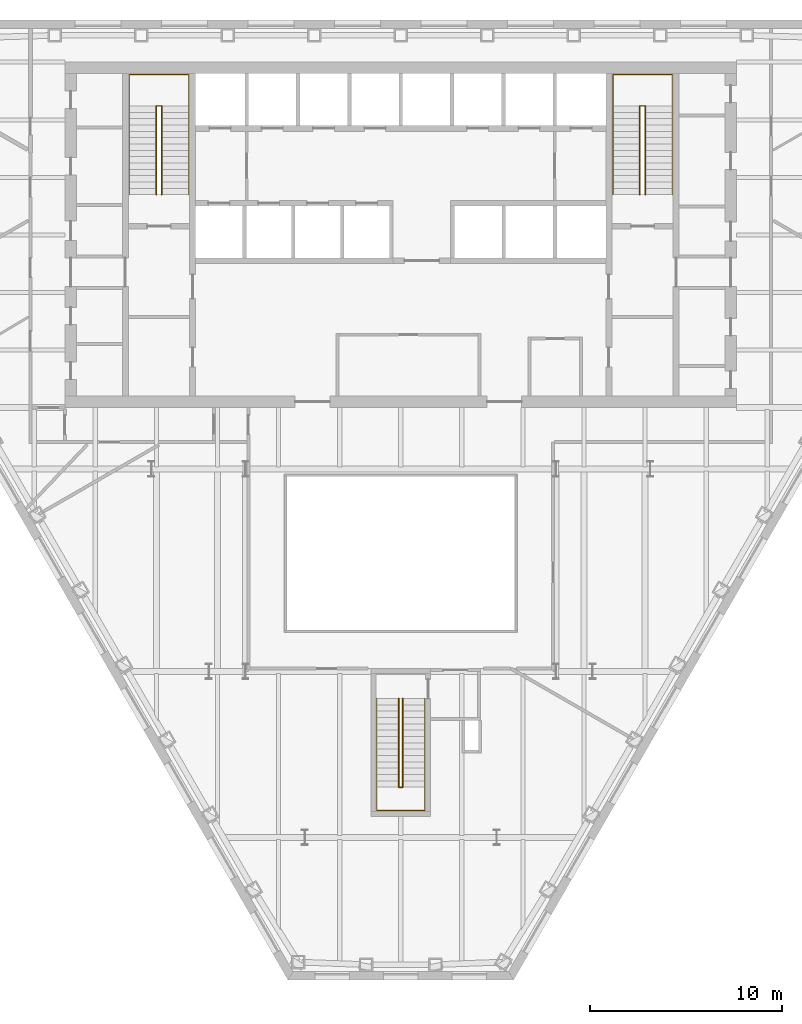
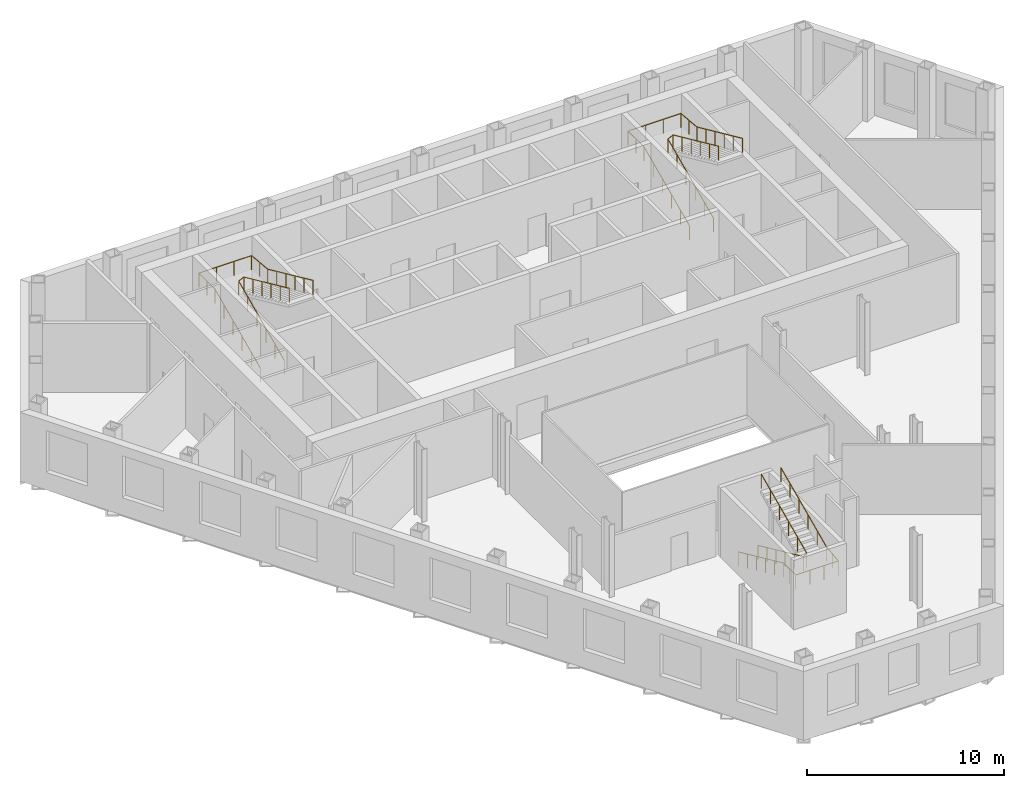
# One storey, part 11 of 11: 6 railings.
"""IFC4 building model written with IfcOpenShell, lengths in metres."""

from ifc_helpers import new_model, si_unit, direction, frame, origin, origin_2d, place, context, subcontext, project, spatial, circle, extrude, material, type_object, element, save


model = new_model("IFC4")

# Units and contexts
model_context = context("Model", 3, precision=1e-05, world=origin(), true_north=direction((0.0, 1.0)))
body_context = subcontext(model_context, "Body", "Model", "MODEL_VIEW")
ifc_project = project(units=[si_unit("LENGTHUNIT", "METRE"), si_unit("AREAUNIT", "SQUARE_METRE"), si_unit("VOLUMEUNIT", "CUBIC_METRE"), si_unit("PLANEANGLEUNIT", "RADIAN"), si_unit("MASSUNIT", "GRAM", prefix="KILO")], contexts=[model_context])

# Site, building, storey
site_placement = place(None, origin())
site = spatial("IfcSite", under=ifc_project, at=site_placement, CompositionType="ELEMENT")
building_placement = place(site_placement, origin())
building = spatial("IfcBuilding", under=site, at=building_placement, Name="Njiva Tower", CompositionType="ELEMENT")
storey_placement = place(building_placement, frame((0.0, 0.0, 33.3)))
storey = spatial("IfcBuildingStorey", under=building, at=storey_placement, Name="L06", CompositionType="ELEMENT", Elevation=33.3)

# Railings
ifc_material = material(Name="Stainless steel", Category="steel")
railing_type = type_object("IfcRailingType", Name="RL1 Stair handrail 900", PredefinedType="HANDRAIL", material=ifc_material)
railing_1_placement = place(storey_placement, frame((-14.15, 11.1, 0.15)))
element("IfcRailing", 1, at=railing_1_placement, inside=storey, type_object=railing_type, Name="Stair A handrail", PredefinedType="HANDRAIL", context=body_context, shape_type="SweptSolid", body=[
    extrude(circle(Radius=0.024, at=origin_2d()), frame((0.0, 0.0, 0.876), z_axis=(0.0, 0.910366477463, 0.413802944301), x_axis=(-1.0, 0.0, 0.0)), (0.0, 0.0, 1.0), 5.0749),
    extrude(circle(Radius=0.024, at=origin_2d()), frame((0.0, 4.62, 2.976), z_axis=(0.0, 1.0, 0.0), x_axis=(-1.0, 0.0, 0.0)), (0.0, 0.0, 1.0), 1.63),
    extrude(circle(Radius=0.024, at=origin_2d()), frame((0.0, 6.25, 2.976), z_axis=(1.0, 0.0, 0.0), x_axis=(0.0, 1.0, 0.0)), (0.0, 0.0, 1.0), 3.1),
    extrude(circle(Radius=0.024, at=origin_2d()), frame((3.1, 6.25, 2.976), z_axis=(0.0, -0.995792447047, 0.091637341753), x_axis=(1.0, 0.0, 0.0)), (0.0, 0.0, 1.0), 1.6369),
    extrude(circle(Radius=0.024, at=origin_2d()), frame((3.1, 4.62, 3.126), z_axis=(0.0, -0.910366477463, 0.413802944301), x_axis=(1.0, 0.0, 0.0)), (0.0, 0.0, 1.0), 5.0749),
    extrude(circle(Radius=0.021, at=origin_2d()), origin(), (0.0, 0.0, 1.0), 0.852),
    extrude(circle(Radius=0.021, at=origin_2d()), frame((0.0, 0.924, 0.42)), (0.0, 0.0, 1.0), 0.852),
    extrude(circle(Radius=0.021, at=origin_2d()), frame((0.0, 1.848, 0.84)), (0.0, 0.0, 1.0), 0.852),
    extrude(circle(Radius=0.021, at=origin_2d()), frame((0.0, 2.772, 1.26)), (0.0, 0.0, 1.0), 0.852),
    extrude(circle(Radius=0.021, at=origin_2d()), frame((0.0, 3.696, 1.68)), (0.0, 0.0, 1.0), 0.852),
    extrude(circle(Radius=0.021, at=origin_2d()), frame((0.0, 4.62, 2.1)), (0.0, 0.0, 1.0), 0.852),
    extrude(circle(Radius=0.021, at=origin_2d()), frame((0.0, 5.435, 2.1)), (0.0, 0.0, 1.0), 0.852),
    extrude(circle(Radius=0.021, at=origin_2d()), frame((0.0, 6.25, 2.1)), (0.0, 0.0, 1.0), 0.852),
    extrude(circle(Radius=0.021, at=origin_2d()), frame((1.0333, 6.25, 2.1)), (0.0, 0.0, 1.0), 0.852),
    extrude(circle(Radius=0.021, at=origin_2d()), frame((2.0667, 6.25, 2.1)), (0.0, 0.0, 1.0), 0.852),
    extrude(circle(Radius=0.021, at=origin_2d()), frame((3.1, 6.25, 2.1)), (0.0, 0.0, 1.0), 0.852),
    extrude(circle(Radius=0.021, at=origin_2d()), frame((3.1, 5.435, 2.175)), (0.0, 0.0, 1.0), 0.852),
    extrude(circle(Radius=0.021, at=origin_2d()), frame((3.1, 4.62, 2.25)), (0.0, 0.0, 1.0), 0.852),
    extrude(circle(Radius=0.021, at=origin_2d()), frame((3.1, 3.696, 2.67)), (0.0, 0.0, 1.0), 0.852),
    extrude(circle(Radius=0.021, at=origin_2d()), frame((3.1, 2.772, 3.09)), (0.0, 0.0, 1.0), 0.852),
    extrude(circle(Radius=0.021, at=origin_2d()), frame((3.1, 1.848, 3.51)), (0.0, 0.0, 1.0), 0.852),
    extrude(circle(Radius=0.021, at=origin_2d()), frame((3.1, 0.924, 3.93)), (0.0, 0.0, 1.0), 0.852),
    extrude(circle(Radius=0.021, at=origin_2d()), frame((3.1, 0.0, 4.35)), (0.0, 0.0, 1.0), 0.852),
])
railing_2_placement = place(storey_placement, frame((-12.75, 11.1, 0.15)))
element("IfcRailing", 2, at=railing_2_placement, inside=storey, type_object=railing_type, Name="Stair A handrail", PredefinedType="HANDRAIL", context=body_context, shape_type="SweptSolid", body=[
    extrude(circle(Radius=0.024, at=origin_2d()), frame((0.0, 0.0, 0.876), z_axis=(0.0, 0.910366477463, 0.413802944301), x_axis=(-1.0, 0.0, 0.0)), (0.0, 0.0, 1.0), 5.0749),
    extrude(circle(Radius=0.024, at=origin_2d()), frame((0.0, 4.62, 2.976), z_axis=(0.894427191, 0.0, 0.4472135955), x_axis=(0.0, 1.0, 0.0)), (0.0, 0.0, 1.0), 0.3354),
    extrude(circle(Radius=0.024, at=origin_2d()), frame((0.3, 4.62, 3.126), z_axis=(0.0, -0.910366477463, 0.413802944301), x_axis=(1.0, 0.0, 0.0)), (0.0, 0.0, 1.0), 5.0749),
    extrude(circle(Radius=0.021, at=origin_2d()), origin(), (0.0, 0.0, 1.0), 0.852),
    extrude(circle(Radius=0.021, at=origin_2d()), frame((0.0, 0.924, 0.42)), (0.0, 0.0, 1.0), 0.852),
    extrude(circle(Radius=0.021, at=origin_2d()), frame((0.0, 1.848, 0.84)), (0.0, 0.0, 1.0), 0.852),
    extrude(circle(Radius=0.021, at=origin_2d()), frame((0.0, 2.772, 1.26)), (0.0, 0.0, 1.0), 0.852),
    extrude(circle(Radius=0.021, at=origin_2d()), frame((0.0, 3.696, 1.68)), (0.0, 0.0, 1.0), 0.852),
    extrude(circle(Radius=0.021, at=origin_2d()), frame((0.0, 4.62, 2.1)), (0.0, 0.0, 1.0), 0.852),
    extrude(circle(Radius=0.021, at=origin_2d()), frame((0.3, 4.62, 2.25)), (0.0, 0.0, 1.0), 0.852),
    extrude(circle(Radius=0.021, at=origin_2d()), frame((0.3, 3.696, 2.67)), (0.0, 0.0, 1.0), 0.852),
    extrude(circle(Radius=0.021, at=origin_2d()), frame((0.3, 2.772, 3.09)), (0.0, 0.0, 1.0), 0.852),
    extrude(circle(Radius=0.021, at=origin_2d()), frame((0.3, 1.848, 3.51)), (0.0, 0.0, 1.0), 0.852),
    extrude(circle(Radius=0.021, at=origin_2d()), frame((0.3, 0.924, 3.93)), (0.0, 0.0, 1.0), 0.852),
    extrude(circle(Radius=0.021, at=origin_2d()), frame((0.3, 0.0, 4.35)), (0.0, 0.0, 1.0), 0.852),
])
railing_3_placement = place(storey_placement, frame((11.05, 11.1, 0.15)))
element("IfcRailing", 3, at=railing_3_placement, inside=storey, type_object=railing_type, Name="Stair B handrail", PredefinedType="HANDRAIL", context=body_context, shape_type="SweptSolid", body=[
    extrude(circle(Radius=0.024, at=origin_2d()), frame((0.0, 0.0, 0.876), z_axis=(0.0, 0.910366477463, 0.413802944301), x_axis=(-1.0, 0.0, 0.0)), (0.0, 0.0, 1.0), 5.0749),
    extrude(circle(Radius=0.024, at=origin_2d()), frame((0.0, 4.62, 2.976), z_axis=(0.0, 1.0, 0.0), x_axis=(-1.0, 0.0, 0.0)), (0.0, 0.0, 1.0), 1.63),
    extrude(circle(Radius=0.024, at=origin_2d()), frame((0.0, 6.25, 2.976), z_axis=(1.0, 0.0, 0.0), x_axis=(0.0, 1.0, 0.0)), (0.0, 0.0, 1.0), 3.1),
    extrude(circle(Radius=0.024, at=origin_2d()), frame((3.1, 6.25, 2.976), z_axis=(0.0, -0.995792447047, 0.091637341753), x_axis=(1.0, 0.0, 0.0)), (0.0, 0.0, 1.0), 1.6369),
    extrude(circle(Radius=0.024, at=origin_2d()), frame((3.1, 4.62, 3.126), z_axis=(0.0, -0.910366477463, 0.413802944301), x_axis=(1.0, 0.0, 0.0)), (0.0, 0.0, 1.0), 5.0749),
    extrude(circle(Radius=0.021, at=origin_2d()), origin(), (0.0, 0.0, 1.0), 0.852),
    extrude(circle(Radius=0.021, at=origin_2d()), frame((0.0, 0.924, 0.42)), (0.0, 0.0, 1.0), 0.852),
    extrude(circle(Radius=0.021, at=origin_2d()), frame((0.0, 1.848, 0.84)), (0.0, 0.0, 1.0), 0.852),
    extrude(circle(Radius=0.021, at=origin_2d()), frame((0.0, 2.772, 1.26)), (0.0, 0.0, 1.0), 0.852),
    extrude(circle(Radius=0.021, at=origin_2d()), frame((0.0, 3.696, 1.68)), (0.0, 0.0, 1.0), 0.852),
    extrude(circle(Radius=0.021, at=origin_2d()), frame((0.0, 4.62, 2.1)), (0.0, 0.0, 1.0), 0.852),
    extrude(circle(Radius=0.021, at=origin_2d()), frame((0.0, 5.435, 2.1)), (0.0, 0.0, 1.0), 0.852),
    extrude(circle(Radius=0.021, at=origin_2d()), frame((0.0, 6.25, 2.1)), (0.0, 0.0, 1.0), 0.852),
    extrude(circle(Radius=0.021, at=origin_2d()), frame((1.0333, 6.25, 2.1)), (0.0, 0.0, 1.0), 0.852),
    extrude(circle(Radius=0.021, at=origin_2d()), frame((2.0667, 6.25, 2.1)), (0.0, 0.0, 1.0), 0.852),
    extrude(circle(Radius=0.021, at=origin_2d()), frame((3.1, 6.25, 2.1)), (0.0, 0.0, 1.0), 0.852),
    extrude(circle(Radius=0.021, at=origin_2d()), frame((3.1, 5.435, 2.175)), (0.0, 0.0, 1.0), 0.852),
    extrude(circle(Radius=0.021, at=origin_2d()), frame((3.1, 4.62, 2.25)), (0.0, 0.0, 1.0), 0.852),
    extrude(circle(Radius=0.021, at=origin_2d()), frame((3.1, 3.696, 2.67)), (0.0, 0.0, 1.0), 0.852),
    extrude(circle(Radius=0.021, at=origin_2d()), frame((3.1, 2.772, 3.09)), (0.0, 0.0, 1.0), 0.852),
    extrude(circle(Radius=0.021, at=origin_2d()), frame((3.1, 1.848, 3.51)), (0.0, 0.0, 1.0), 0.852),
    extrude(circle(Radius=0.021, at=origin_2d()), frame((3.1, 0.924, 3.93)), (0.0, 0.0, 1.0), 0.852),
    extrude(circle(Radius=0.021, at=origin_2d()), frame((3.1, 0.0, 4.35)), (0.0, 0.0, 1.0), 0.852),
])
railing_4_placement = place(storey_placement, frame((12.45, 11.1, 0.15)))
element("IfcRailing", 4, at=railing_4_placement, inside=storey, type_object=railing_type, Name="Stair B handrail", PredefinedType="HANDRAIL", context=body_context, shape_type="SweptSolid", body=[
    extrude(circle(Radius=0.024, at=origin_2d()), frame((0.0, 0.0, 0.876), z_axis=(0.0, 0.910366477463, 0.413802944301), x_axis=(-1.0, 0.0, 0.0)), (0.0, 0.0, 1.0), 5.0749),
    extrude(circle(Radius=0.024, at=origin_2d()), frame((0.0, 4.62, 2.976), z_axis=(0.894427191, 0.0, 0.4472135955), x_axis=(0.0, 1.0, 0.0)), (0.0, 0.0, 1.0), 0.3354),
    extrude(circle(Radius=0.024, at=origin_2d()), frame((0.3, 4.62, 3.126), z_axis=(0.0, -0.910366477463, 0.413802944301), x_axis=(1.0, 0.0, 0.0)), (0.0, 0.0, 1.0), 5.0749),
    extrude(circle(Radius=0.021, at=origin_2d()), origin(), (0.0, 0.0, 1.0), 0.852),
    extrude(circle(Radius=0.021, at=origin_2d()), frame((0.0, 0.924, 0.42)), (0.0, 0.0, 1.0), 0.852),
    extrude(circle(Radius=0.021, at=origin_2d()), frame((0.0, 1.848, 0.84)), (0.0, 0.0, 1.0), 0.852),
    extrude(circle(Radius=0.021, at=origin_2d()), frame((0.0, 2.772, 1.26)), (0.0, 0.0, 1.0), 0.852),
    extrude(circle(Radius=0.021, at=origin_2d()), frame((0.0, 3.696, 1.68)), (0.0, 0.0, 1.0), 0.852),
    extrude(circle(Radius=0.021, at=origin_2d()), frame((0.0, 4.62, 2.1)), (0.0, 0.0, 1.0), 0.852),
    extrude(circle(Radius=0.021, at=origin_2d()), frame((0.3, 4.62, 2.25)), (0.0, 0.0, 1.0), 0.852),
    extrude(circle(Radius=0.021, at=origin_2d()), frame((0.3, 3.696, 2.67)), (0.0, 0.0, 1.0), 0.852),
    extrude(circle(Radius=0.021, at=origin_2d()), frame((0.3, 2.772, 3.09)), (0.0, 0.0, 1.0), 0.852),
    extrude(circle(Radius=0.021, at=origin_2d()), frame((0.3, 1.848, 3.51)), (0.0, 0.0, 1.0), 0.852),
    extrude(circle(Radius=0.021, at=origin_2d()), frame((0.3, 0.924, 3.93)), (0.0, 0.0, 1.0), 0.852),
    extrude(circle(Radius=0.021, at=origin_2d()), frame((0.3, 0.0, 4.35)), (0.0, 0.0, 1.0), 0.852),
])
railing_5_placement = place(storey_placement, frame((-1.25, -15.16, 0.15)))
element("IfcRailing", 5, at=railing_5_placement, inside=storey, type_object=railing_type, Name="Stair C handrail", PredefinedType="HANDRAIL", context=body_context, shape_type="SweptSolid", body=[
    extrude(circle(Radius=0.024, at=origin_2d()), frame((0.0, 0.0, 0.876), z_axis=(0.0, -0.910366477463, 0.413802944301), x_axis=(1.0, 0.0, 0.0)), (0.0, 0.0, 1.0), 5.0749),
    extrude(circle(Radius=0.024, at=origin_2d()), frame((0.0, -4.62, 2.976), z_axis=(0.0, -1.0, 0.0), x_axis=(1.0, 0.0, 0.0)), (0.0, 0.0, 1.0), 1.22),
    extrude(circle(Radius=0.024, at=origin_2d()), frame((0.0, -5.84, 2.976), z_axis=(1.0, 0.0, 0.0), x_axis=(0.0, 1.0, 0.0)), (0.0, 0.0, 1.0), 2.5),
    extrude(circle(Radius=0.024, at=origin_2d()), frame((2.5, -5.84, 2.976), z_axis=(0.0, 0.992526177815, 0.122031907108), x_axis=(-1.0, 0.0, 0.0)), (0.0, 0.0, 1.0), 1.2292),
    extrude(circle(Radius=0.024, at=origin_2d()), frame((2.5, -4.62, 3.126), z_axis=(0.0, 0.910366477463, 0.413802944301), x_axis=(-1.0, 0.0, 0.0)), (0.0, 0.0, 1.0), 5.0749),
    extrude(circle(Radius=0.021, at=origin_2d()), origin(), (0.0, 0.0, 1.0), 0.852),
    extrude(circle(Radius=0.021, at=origin_2d()), frame((0.0, -0.924, 0.42)), (0.0, 0.0, 1.0), 0.852),
    extrude(circle(Radius=0.021, at=origin_2d()), frame((0.0, -1.848, 0.84)), (0.0, 0.0, 1.0), 0.852),
    extrude(circle(Radius=0.021, at=origin_2d()), frame((0.0, -2.772, 1.26)), (0.0, 0.0, 1.0), 0.852),
    extrude(circle(Radius=0.021, at=origin_2d()), frame((0.0, -3.696, 1.68)), (0.0, 0.0, 1.0), 0.852),
    extrude(circle(Radius=0.021, at=origin_2d()), frame((0.0, -4.62, 2.1)), (0.0, 0.0, 1.0), 0.852),
    extrude(circle(Radius=0.021, at=origin_2d()), frame((0.0, -5.23, 2.1)), (0.0, 0.0, 1.0), 0.852),
    extrude(circle(Radius=0.021, at=origin_2d()), frame((0.0, -5.84, 2.1)), (0.0, 0.0, 1.0), 0.852),
    extrude(circle(Radius=0.021, at=origin_2d()), frame((0.8333, -5.84, 2.1)), (0.0, 0.0, 1.0), 0.852),
    extrude(circle(Radius=0.021, at=origin_2d()), frame((1.6667, -5.84, 2.1)), (0.0, 0.0, 1.0), 0.852),
    extrude(circle(Radius=0.021, at=origin_2d()), frame((2.5, -5.84, 2.1)), (0.0, 0.0, 1.0), 0.852),
    extrude(circle(Radius=0.021, at=origin_2d()), frame((2.5, -5.23, 2.175)), (0.0, 0.0, 1.0), 0.852),
    extrude(circle(Radius=0.021, at=origin_2d()), frame((2.5, -4.62, 2.25)), (0.0, 0.0, 1.0), 0.852),
    extrude(circle(Radius=0.021, at=origin_2d()), frame((2.5, -3.696, 2.67)), (0.0, 0.0, 1.0), 0.852),
    extrude(circle(Radius=0.021, at=origin_2d()), frame((2.5, -2.772, 3.09)), (0.0, 0.0, 1.0), 0.852),
    extrude(circle(Radius=0.021, at=origin_2d()), frame((2.5, -1.848, 3.51)), (0.0, 0.0, 1.0), 0.852),
    extrude(circle(Radius=0.021, at=origin_2d()), frame((2.5, -0.924, 3.93)), (0.0, 0.0, 1.0), 0.852),
    extrude(circle(Radius=0.021, at=origin_2d()), frame((2.5, 0.0, 4.35)), (0.0, 0.0, 1.0), 0.852),
])
railing_6_placement = place(storey_placement, frame((-0.1, -15.16, 0.15)))
element("IfcRailing", 6, at=railing_6_placement, inside=storey, type_object=railing_type, Name="Stair C handrail", PredefinedType="HANDRAIL", context=body_context, shape_type="SweptSolid", body=[
    extrude(circle(Radius=0.024, at=origin_2d()), frame((0.0, 0.0, 0.876), z_axis=(0.0, -0.910366477463, 0.413802944301), x_axis=(1.0, 0.0, 0.0)), (0.0, 0.0, 1.0), 5.0749),
    extrude(circle(Radius=0.024, at=origin_2d()), frame((0.0, -4.62, 2.976), z_axis=(0.8, 0.0, 0.6), x_axis=(0.0, 1.0, 0.0)), (0.0, 0.0, 1.0), 0.25),
    extrude(circle(Radius=0.024, at=origin_2d()), frame((0.2, -4.62, 3.126), z_axis=(0.0, 0.910366477463, 0.413802944301), x_axis=(-1.0, 0.0, 0.0)), (0.0, 0.0, 1.0), 5.0749),
    extrude(circle(Radius=0.021, at=origin_2d()), origin(), (0.0, 0.0, 1.0), 0.852),
    extrude(circle(Radius=0.021, at=origin_2d()), frame((0.0, -0.924, 0.42)), (0.0, 0.0, 1.0), 0.852),
    extrude(circle(Radius=0.021, at=origin_2d()), frame((0.0, -1.848, 0.84)), (0.0, 0.0, 1.0), 0.852),
    extrude(circle(Radius=0.021, at=origin_2d()), frame((0.0, -2.772, 1.26)), (0.0, 0.0, 1.0), 0.852),
    extrude(circle(Radius=0.021, at=origin_2d()), frame((0.0, -3.696, 1.68)), (0.0, 0.0, 1.0), 0.852),
    extrude(circle(Radius=0.021, at=origin_2d()), frame((0.0, -4.62, 2.1)), (0.0, 0.0, 1.0), 0.852),
    extrude(circle(Radius=0.021, at=origin_2d()), frame((0.2, -4.62, 2.25)), (0.0, 0.0, 1.0), 0.852),
    extrude(circle(Radius=0.021, at=origin_2d()), frame((0.2, -3.696, 2.67)), (0.0, 0.0, 1.0), 0.852),
    extrude(circle(Radius=0.021, at=origin_2d()), frame((0.2, -2.772, 3.09)), (0.0, 0.0, 1.0), 0.852),
    extrude(circle(Radius=0.021, at=origin_2d()), frame((0.2, -1.848, 3.51)), (0.0, 0.0, 1.0), 0.852),
    extrude(circle(Radius=0.021, at=origin_2d()), frame((0.2, -0.924, 3.93)), (0.0, 0.0, 1.0), 0.852),
    extrude(circle(Radius=0.021, at=origin_2d()), frame((0.2, 0.0, 4.35)), (0.0, 0.0, 1.0), 0.852),
])

save(model, "model.ifc")
